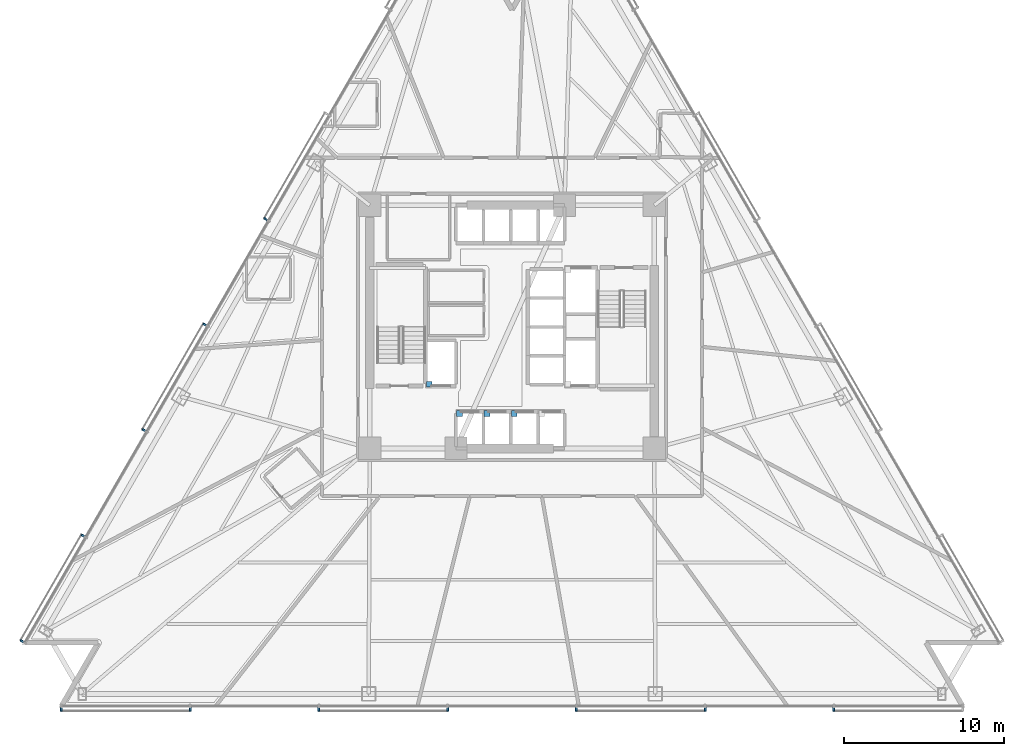
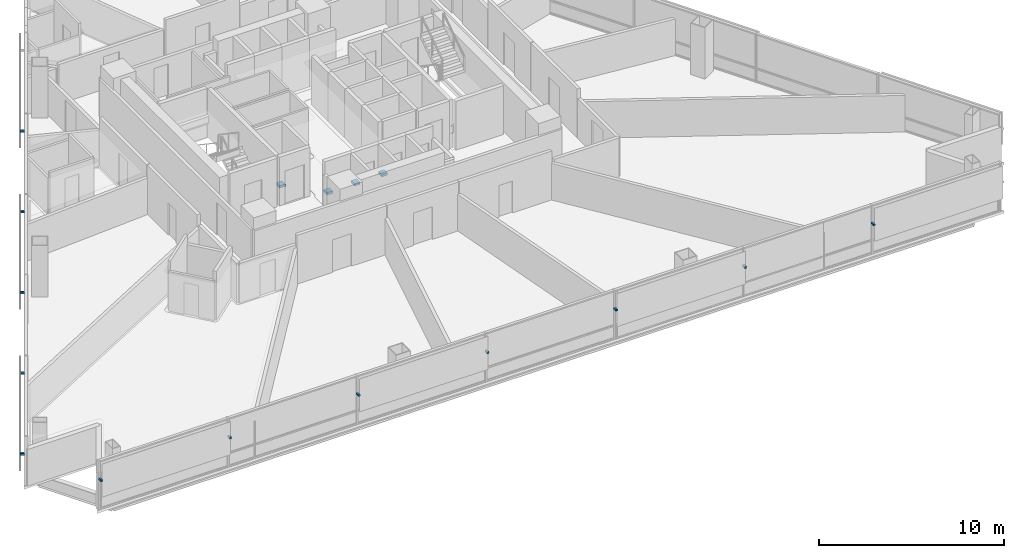
# One storey, part 11 of 16: 16 discrete accessories.
"""IFC4 building model written with IfcOpenShell, lengths in metres."""

from ifc_helpers import new_model, si_unit, direction, frame, origin, origin_2d, place, context, subcontext, project, spatial, rectangle, extrude, material, type_object, element, save


model = new_model("IFC4")

# Units and contexts
model_context = context("Model", 3, precision=1e-05, world=origin(), true_north=direction((0.0, 1.0)))
body_context = subcontext(model_context, "Body", "Model", "MODEL_VIEW")
ifc_project = project(units=[si_unit("LENGTHUNIT", "METRE"), si_unit("AREAUNIT", "SQUARE_METRE"), si_unit("VOLUMEUNIT", "CUBIC_METRE"), si_unit("PLANEANGLEUNIT", "RADIAN"), si_unit("MASSUNIT", "GRAM", prefix="KILO")], contexts=[model_context])

# Site, building, storey
site_placement = place(None, origin())
site = spatial("IfcSite", under=ifc_project, at=site_placement, CompositionType="ELEMENT")
building_placement = place(site_placement, origin())
building = spatial("IfcBuilding", under=site, at=building_placement, Name="Tharavind Bronze Gate", CompositionType="ELEMENT")
storey_placement = place(building_placement, frame((0.0, 0.0, 45.449951171875)))
storey = spatial("IfcBuildingStorey", under=building, at=storey_placement, Name="L10", CompositionType="ELEMENT", Elevation=45.449951171875)

# Discrete accessories
ifc_material_1 = material(Name="Galvanised Steel S355", Category="steel")
discrete_accessory_type_1 = type_object("IfcDiscreteAccessoryType", Name="LIFT GUIDE RAIL BRACKET", PredefinedType="BRACKET", material=ifc_material_1)
for number, where, z_axis, x_axis, name in (
    (1, (-3.280029296875, -5.419921875, 1.1201171875), (0.0, 0.0, 1.0), (1.0, 0.0, 0.0), "Lift PL1 guide rail bracket at L10"),
    (2, (-1.5673828125, -5.419921875, 1.1201171875), (0.0, 0.0, 1.0), (1.0, 0.0, 0.0), "Lift PL2 guide rail bracket at L10"),
    (3, (0.14501953125, -5.419921875, 1.1201171875), (0.0, 0.0, 1.0), (1.0, 0.0, 0.0), "Lift PL3 guide rail bracket at L10"),
    (4, (-5.179931640625, -3.580078125, 1.1201171875), (0.0, 0.0, 1.0), (1.0, 0.0, 0.0), "Lift FFL1 guide rail bracket at L10"),
):
    element("IfcDiscreteAccessory", number, at=place(storey_placement, frame(where, z_axis=z_axis, x_axis=x_axis)), inside=storey, type_object=discrete_accessory_type_1, Name=name, PredefinedType="BRACKET", context=body_context, shape_type="SweptSolid", body=[
        extrude(rectangle(XDim=0.360107421875, YDim=0.360107421875, at=origin_2d()), origin(), (0.0, 0.0, 1.0), 0.159912109375),
    ])
ifc_material_2 = material(Name="Stainless Steel 316", Category="steel")
discrete_accessory_type_2 = type_object("IfcDiscreteAccessoryType", Name="SOLAR SCREEN STANDOFF BRACKET", PredefinedType="BRACKET", material=ifc_material_2)
for number, where, z_axis, x_axis, name in (
    (5, (-15.397216796875, 6.7314453125, 2.00244140625), (0.0, 0.0, 1.0), (-0.500001511499, -0.866024531118, 0.0), "CW-L10-S1 solar screen bracket 3.2"),
    (6, (-19.205078125, 0.135986328125, 2.00244140625), (0.0, 0.0, 1.0), (-0.500001511499, -0.866024531118, 0.0), "CW-L10-S1 solar screen bracket 5.1"),
    (7, (-23.01318359375, -6.459716796875, 2.00244140625), (0.0, 0.0, 1.0), (-0.500001511499, -0.866024531118, 0.0), "CW-L10-S1 solar screen bracket 5.2"),
    (8, (-26.821044921875, -13.055419921875, 2.00244140625), (0.0, 0.0, 1.0), (-0.500001511499, -0.866024531118, 0.0), "CW-L10-S1 solar screen bracket 7.1"),
    (9, (-30.62890625, -19.65087890625, 2.00244140625), (0.0, 0.0, 1.0), (-0.500001511499, -0.866024531118, 0.0), "CW-L10-S1 solar screen bracket 7.2"),
    (10, (-28.17578125, -23.89990234375, 2.00244140625), (0.0, 0.0, 1.0), (1.0, 0.0, 0.0), "CW-L10-S2 solar screen bracket 1.1"),
    (11, (-20.12548828125, -23.89990234375, 2.00244140625), (0.0, 0.0, 1.0), (1.0, 0.0, 0.0), "CW-L10-S2 solar screen bracket 1.2"),
    (12, (-12.0751953125, -23.89990234375, 2.00244140625), (0.0, 0.0, 1.0), (1.0, 0.0, 0.0), "CW-L10-S2 solar screen bracket 3.1"),
    (13, (-4.025146484375, -23.89990234375, 2.00244140625), (0.0, 0.0, 1.0), (1.0, 0.0, 0.0), "CW-L10-S2 solar screen bracket 3.2"),
    (14, (4.025146484375, -23.89990234375, 2.00244140625), (0.0, 0.0, 1.0), (1.0, 0.0, 0.0), "CW-L10-S2 solar screen bracket 5.1"),
    (15, (12.0751953125, -23.89990234375, 2.00244140625), (0.0, 0.0, 1.0), (1.0, 0.0, 0.0), "CW-L10-S2 solar screen bracket 5.2"),
    (16, (20.12548828125, -23.89990234375, 2.00244140625), (0.0, 0.0, 1.0), (1.0, 0.0, 0.0), "CW-L10-S2 solar screen bracket 7.1"),
):
    element("IfcDiscreteAccessory", number, at=place(storey_placement, frame(where, z_axis=z_axis, x_axis=x_axis)), inside=storey, type_object=discrete_accessory_type_2, Name=name, PredefinedType="BRACKET", context=body_context, shape_type="SweptSolid", body=[
        extrude(rectangle(XDim=0.1201171875, YDim=0.239990234375, at=origin_2d()), origin(), (0.0, 0.0, 1.0), 0.1201171875),
    ])

save(model, "model.ifc")
